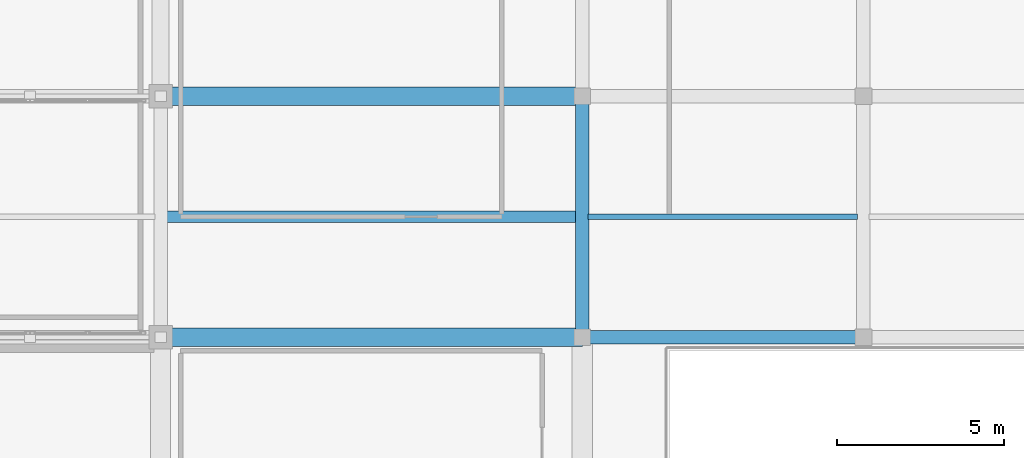
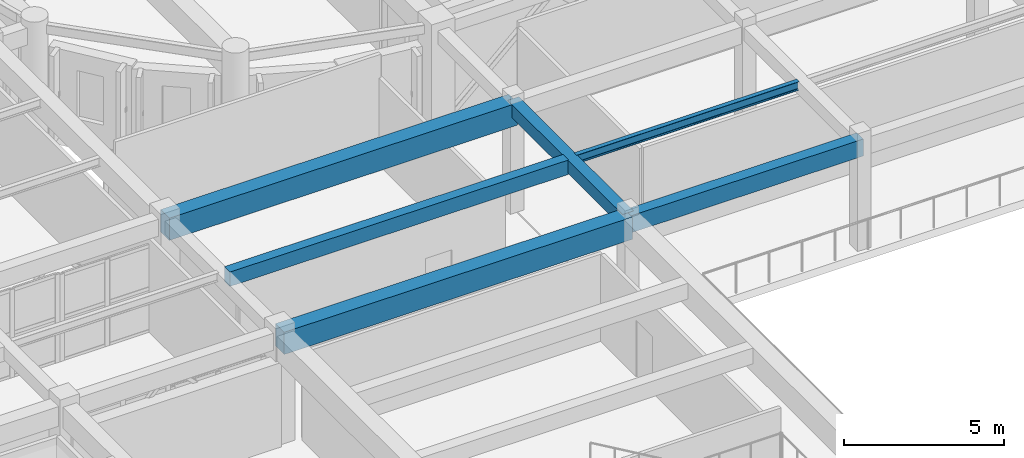
# One storey, part 28 of 92: 6 beams.
"""IFC4 building model written with IfcOpenShell, lengths in metres."""

from ifc_helpers import new_model, si_unit, direction, frame, origin, origin_2d, place, context, subcontext, project, spatial, rectangle, i_section, extrude, material, material_profile, profile_set, type_object, element, save


model = new_model("IFC4")

# Units and contexts
model_context = context("Model", 3, precision=1e-05, world=origin(), true_north=direction((0.0, 1.0)))
body_context = subcontext(model_context, "Body", "Model", "MODEL_VIEW")
ifc_project = project(units=[si_unit("LENGTHUNIT", "METRE"), si_unit("AREAUNIT", "SQUARE_METRE"), si_unit("VOLUMEUNIT", "CUBIC_METRE"), si_unit("PLANEANGLEUNIT", "RADIAN"), si_unit("MASSUNIT", "GRAM", prefix="KILO")], contexts=[model_context])

# Site, building, storey
site_placement = place(None, origin())
site = spatial("IfcSite", under=ifc_project, at=site_placement, CompositionType="ELEMENT")
building_placement = place(site_placement, origin())
building = spatial("IfcBuilding", under=site, at=building_placement, Name="Tarnavel Promenade Courthouse", CompositionType="ELEMENT")
storey_placement = place(building_placement, frame((0.0, 0.0, 5.39990234375)))
storey = spatial("IfcBuildingStorey", under=building, at=storey_placement, Name="L02", CompositionType="ELEMENT", Elevation=5.39990234375)

# Beams
ifc_material_1 = material(Name="Concrete C40/50", Category="concrete")
ifc_material_profile_1 = material_profile(ifc_material_1, rectangle(XDim=0.35009765625, YDim=0.550048828125, at=origin_2d()), Name="PT 350x550")
ifc_profile_set_1 = profile_set([ifc_material_profile_1], Name="Concrete C40/50")
beam_type_1 = type_object("IfcBeamType", Name="Concrete C40/50 BM-PT-350x550 (PT 350x550)", PredefinedType="JOIST", material=ifc_profile_set_1)
beam_1_placement = place(storey_placement, frame((46.3701171875, 70.800048828125, 3.920166015625), z_axis=(1.0, 0.0, 0.0), x_axis=(0.0, 1.0, 0.0)))
element("IfcBeam", 1, at=beam_1_placement, inside=storey, type_object=beam_type_1, Name="L02 Secondary Floor Rib 1395", PredefinedType="JOIST", context=body_context, shape_type="SweptSolid", body=[
    extrude(rectangle(XDim=0.35009765625, YDim=0.550048828125, at=origin_2d()), origin(), (0.0, 0.0, 1.0), 12.259765625),
])
ifc_material_profile_2 = material_profile(ifc_material_1, rectangle(XDim=0.550048828125, YDim=0.85009765625, at=origin_2d()), Name="PT 550x850")
ifc_profile_set_2 = profile_set([ifc_material_profile_2], Name="Concrete C40/50")
beam_type_2 = type_object("IfcBeamType", Name="Concrete C40/50 BM-PT-550x850 (PT 550x850)", PredefinedType="T_BEAM", material=ifc_profile_set_2)
for number, where, z_axis, x_axis, name in (
    (2, (46.199951171875, 67.199951171875, 3.77001953125), (1.0, 0.0, 0.0), (0.0, 1.0, 0.0), "L02 Primary Longitudinal Beam 1132"),
    (3, (46.199951171875, 74.39990234375, 3.77001953125), (1.0, 0.0, 0.0), (0.0, 1.0, 0.0), "L02 Primary Longitudinal Beam 1155"),
):
    element("IfcBeam", number, at=place(storey_placement, frame(where, z_axis=z_axis, x_axis=x_axis)), inside=storey, type_object=beam_type_2, Name=name, PredefinedType="T_BEAM", context=body_context, shape_type="SweptSolid", body=[
        extrude(rectangle(XDim=0.550048828125, YDim=0.85009765625, at=origin_2d()), origin(), (0.0, 0.0, 1.0), 12.60009765625),
    ])
ifc_material_profile_3 = material_profile(ifc_material_1, rectangle(XDim=0.39990234375, YDim=0.5, at=origin_2d()), Name="RC 400x500")
ifc_profile_set_3 = profile_set([ifc_material_profile_3], Name="Concrete C40/50")
beam_type_3 = type_object("IfcBeamType", Name="Concrete C40/50 BM-RC-400x500 (RC 400x500)", PredefinedType="BEAM", material=ifc_profile_set_3)
beam_2_placement = place(storey_placement, frame((58.800048828125, 67.199951171875, 3.945068359375), z_axis=(0.0, 1.0, 0.0), x_axis=(-1.0, 0.0, 0.0)))
element("IfcBeam", 4, at=beam_2_placement, inside=storey, type_object=beam_type_3, Name="L02 Transverse Girder 1278", PredefinedType="BEAM", context=body_context, shape_type="SweptSolid", body=[
    extrude(rectangle(XDim=0.39990234375, YDim=0.5, at=origin_2d()), origin(), (0.0, 0.0, 1.0), 7.199951171875),
])
ifc_material_profile_4 = material_profile(ifc_material_1, rectangle(XDim=0.39990234375, YDim=0.64990234375, at=origin_2d()), Name="RC 400x650")
ifc_profile_set_4 = profile_set([ifc_material_profile_4], Name="Concrete C40/50")
beam_type_4 = type_object("IfcBeamType", Name="Concrete C40/50 BM-RC-400x650 (RC 400x650)", PredefinedType="BEAM", material=ifc_profile_set_4)
beam_3_placement = place(storey_placement, frame((58.800048828125, 67.199951171875, 3.8701171875), z_axis=(1.0, 0.0, 0.0), x_axis=(0.0, 1.0, 0.0)))
element("IfcBeam", 5, at=beam_3_placement, inside=storey, type_object=beam_type_4, Name="L02 Primary Longitudinal Beam 1133", PredefinedType="BEAM", context=body_context, shape_type="SweptSolid", body=[
    extrude(rectangle(XDim=0.39990234375, YDim=0.64990234375, at=origin_2d()), origin(), (0.0, 0.0, 1.0), 8.39990234375),
])
ifc_material_2 = material(Name="Steel S355J2", Category="steel")
ifc_material_profile_5 = material_profile(ifc_material_2, i_section(OverallWidth=0.159912109375, OverallDepth=0.330078125, WebThickness=0.007568359375, FlangeThickness=0.011474609375, FilletRadius=0.01806640625, at=origin_2d()), Name="IPE 330")
ifc_profile_set_5 = profile_set([ifc_material_profile_5], Name="Steel S355J2")
beam_type_5 = type_object("IfcBeamType", Name="Steel S355J2 BM-ST-IPE330 (IPE 330)", PredefinedType="JOIST", material=ifc_profile_set_5)
beam_4_placement = place(storey_placement, frame((58.969970703125, 70.800048828125, 4.030029296875), z_axis=(1.0, 0.0, 0.0), x_axis=(0.0, 1.0, 0.0)))
element("IfcBeam", 6, at=beam_4_placement, inside=storey, type_object=beam_type_5, Name="L02 Secondary Floor Rib 1396", PredefinedType="JOIST", context=body_context, shape_type="SweptSolid", body=[
    extrude(i_section(OverallWidth=0.159912109375, OverallDepth=0.330078125, WebThickness=0.007568359375, FlangeThickness=0.011474609375, FilletRadius=0.01806640625, at=origin_2d()), origin(), (0.0, 0.0, 1.0), 8.06005859375),
])

save(model, "model.ifc")
